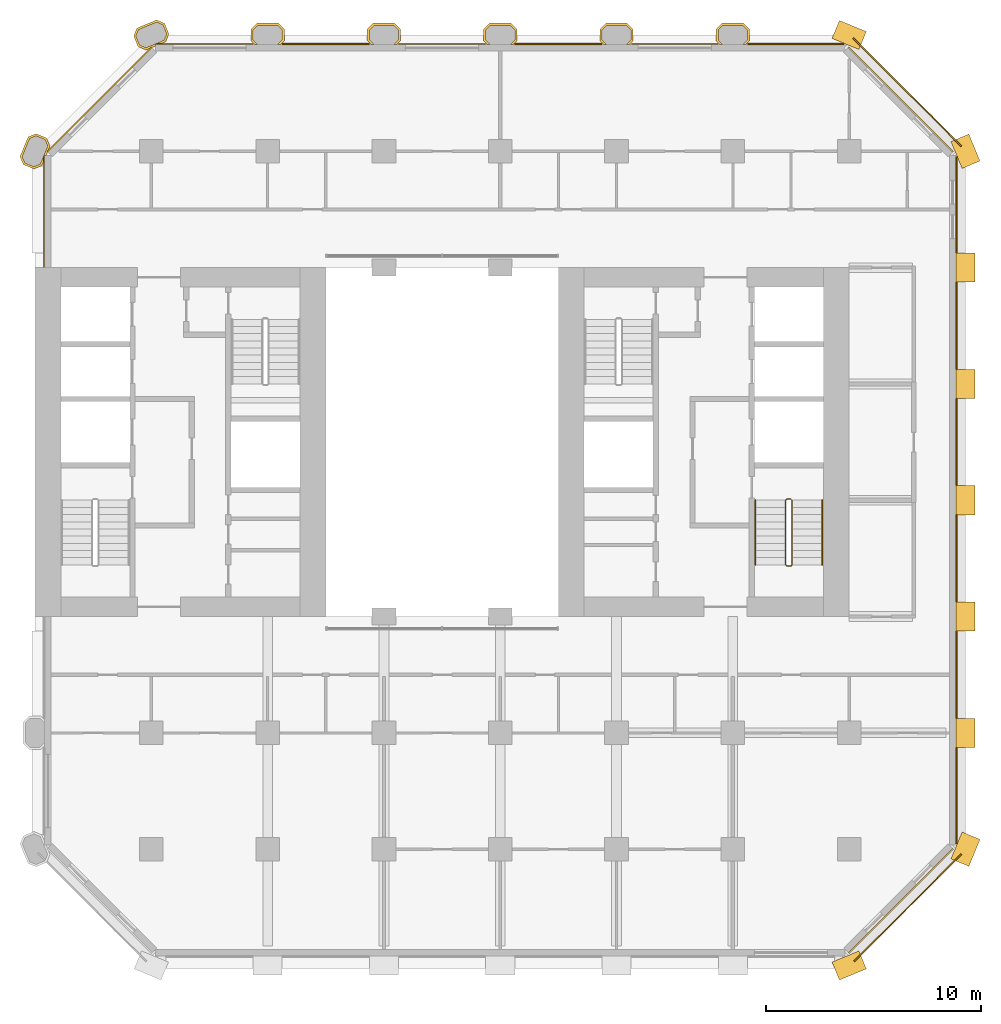
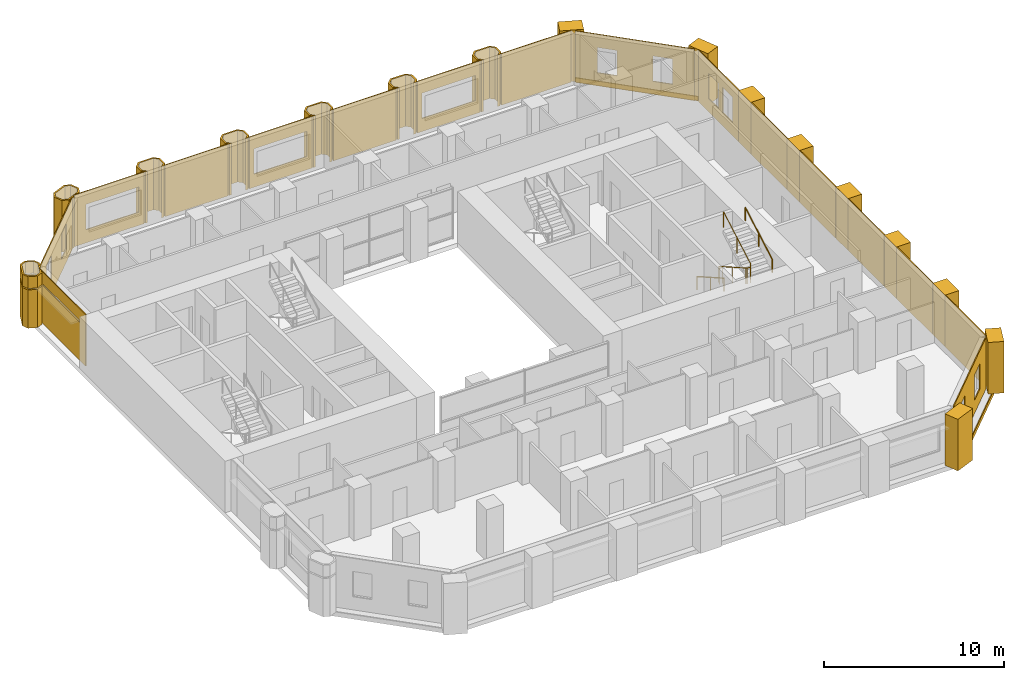
# One storey, part 13 of 13: 35 coverings, 3 railings.
"""IFC4 building model written with IfcOpenShell, lengths in metres."""

from ifc_helpers import new_model, si_unit, direction, frame, frame_2d, origin, origin_2d, place, context, subcontext, project, spatial, polyline, rectangle, circle, outline, extrude, material, layer, layer_set, type_object, element, save


model = new_model("IFC4")

# Units and contexts
model_context = context("Model", 3, precision=1e-05, world=origin(), true_north=direction((0.0, 1.0)))
body_context = subcontext(model_context, "Body", "Model", "MODEL_VIEW")
ifc_project = project(units=[si_unit("LENGTHUNIT", "METRE"), si_unit("AREAUNIT", "SQUARE_METRE"), si_unit("VOLUMEUNIT", "CUBIC_METRE"), si_unit("PLANEANGLEUNIT", "RADIAN"), si_unit("MASSUNIT", "GRAM", prefix="KILO")], contexts=[model_context])

# Site, building, storey
site_placement = place(None, origin())
site = spatial("IfcSite", under=ifc_project, at=site_placement, CompositionType="ELEMENT")
building_placement = place(site_placement, origin())
building = spatial("IfcBuilding", under=site, at=building_placement, Name="Tabaq Tower and Sports Hall", CompositionType="ELEMENT")
storey_placement = place(building_placement, frame((0.0, 0.0, 37.39990234375)))
storey = spatial("IfcBuildingStorey", under=building, at=storey_placement, Name="L07", CompositionType="ELEMENT", Elevation=37.39990234375)

# Coverings
ifc_material_1 = material(Name="Precast concrete C60/75", Category="concrete")
ifc_layer_1 = layer(ifc_material_1, 0.10009765625)
ifc_layer_set_1 = layer_set([ifc_layer_1], Name="Column cladding 100")
covering_type_1 = type_object("IfcCoveringType", Name="Column cladding 100", PredefinedType="CLADDING", material=ifc_layer_set_1)
covering_1_placement = place(storey_placement, origin())
element("IfcCovering", 1, at=covering_1_placement, inside=storey, type_object=covering_type_1, Name="Column cladding L07 PC-2H-O1", PredefinedType="CLADDING", context=body_context, shape_type="SweptSolid", body=[
    extrude(outline(polyline([(4.857421875, 37.186279296875), (4.7041015625, 37.556396484375), (5.080078125, 38.46435546875), (5.450439453125, 38.61767578125), (5.9423828125, 38.413818359375), (6.095947265625, 38.04345703125), (6.026123046875, 37.875), (5.9501953125, 37.799072265625), (5.9814453125, 37.767578125), (5.91796875, 37.614013671875), (5.849609375, 37.614013671875), (5.849609375, 37.55712890625), (5.789794921875, 37.55712890625), (5.789794921875, 37.304443359375), (5.7197265625, 37.1357421875), (5.349609375, 36.982421875), (4.857421875, 37.186279296875)]), holes=[polyline([(5.866455078125, 38.337646484375), (5.450439453125, 38.510009765625), (5.15625, 38.38818359375), (4.811767578125, 37.556396484375), (4.93359375, 37.26220703125), (5.349609375, 37.08984375), (5.643798828125, 37.2119140625), (5.98828125, 38.04345703125), (5.866455078125, 38.337646484375)])]), origin(), (0.0, 0.0, 1.0), 2.60009765625),
])
covering_2_placement = place(storey_placement, frame((0.0, 0.0, 2.7001953125)))
element("IfcCovering", 2, at=covering_2_placement, inside=storey, type_object=covering_type_1, Name="Column cladding L07 PC-2H-O1 2", PredefinedType="CLADDING", context=body_context, shape_type="SweptSolid", body=[
    extrude(outline(polyline([(4.857421875, 37.186279296875), (4.7041015625, 37.556396484375), (5.080078125, 38.46435546875), (5.450439453125, 38.61767578125), (5.9423828125, 38.413818359375), (6.095947265625, 38.04345703125), (6.026123046875, 37.875), (5.9501953125, 37.799072265625), (5.9814453125, 37.767578125), (5.91796875, 37.614013671875), (5.849609375, 37.614013671875), (5.849609375, 37.55712890625), (5.789794921875, 37.55712890625), (5.789794921875, 37.304443359375), (5.7197265625, 37.1357421875), (5.349609375, 36.982421875), (4.857421875, 37.186279296875)]), holes=[polyline([(5.866455078125, 38.337646484375), (5.450439453125, 38.510009765625), (5.15625, 38.38818359375), (4.811767578125, 37.556396484375), (4.93359375, 37.26220703125), (5.349609375, 37.08984375), (5.643798828125, 37.2119140625), (5.98828125, 38.04345703125), (5.866455078125, 38.337646484375)])]), origin(), (0.0, 0.0, 1.0), 0.7998046875),
])
covering_3_placement = place(storey_placement, origin())
element("IfcCovering", 3, at=covering_3_placement, inside=storey, type_object=covering_type_1, Name="Column cladding L07 PC-3I-O1", PredefinedType="CLADDING", context=body_context, shape_type="SweptSolid", body=[
    extrude(outline(polyline([(9.982421875, 43.149658203125), (10.1357421875, 43.519775390625), (11.04345703125, 43.895751953125), (11.413818359375, 43.742431640625), (11.61767578125, 43.25048828125), (11.46435546875, 42.880126953125), (11.295654296875, 42.810302734375), (11.04296875, 42.810302734375), (11.04296875, 42.750244140625), (10.986083984375, 42.750244140625), (10.986083984375, 42.68212890625), (10.83251953125, 42.618408203125), (10.801025390625, 42.64990234375), (10.72509765625, 42.573974609375), (10.556396484375, 42.504150390625), (10.186279296875, 42.657470703125), (9.982421875, 43.149658203125)]), holes=[polyline([(11.510009765625, 43.25048828125), (11.337646484375, 43.66650390625), (11.04345703125, 43.788330078125), (10.2119140625, 43.44384765625), (10.08984375, 43.149658203125), (10.26220703125, 42.733642578125), (10.556396484375, 42.61181640625), (11.38818359375, 42.956298828125), (11.510009765625, 43.25048828125)])]), origin(), (0.0, 0.0, 1.0), 3.5),
])
covering_4_placement = place(storey_placement, origin())
element("IfcCovering", 4, at=covering_4_placement, inside=storey, type_object=covering_type_1, Name="Column cladding L07 PC-4I-O1", PredefinedType="CLADDING", context=body_context, shape_type="SweptSolid", body=[
    extrude(outline(polyline([(15.42529296875, 43.46630859375), (15.708740234375, 43.749755859375), (16.69140625, 43.749755859375), (16.974609375, 43.46630859375), (16.974609375, 42.93359375), (16.791259765625, 42.750244140625), (16.650634765625, 42.750244140625), (16.875244140625, 42.974853515625), (16.875244140625, 43.425048828125), (16.650146484375, 43.650390625), (15.749755859375, 43.650390625), (15.524658203125, 43.425048828125), (15.524658203125, 42.974853515625), (15.749267578125, 42.750244140625), (15.608642578125, 42.750244140625), (15.42529296875, 42.93359375), (15.42529296875, 43.46630859375)])), origin(), (0.0, 0.0, 1.0), 3.5),
])
covering_5_placement = place(storey_placement, origin())
element("IfcCovering", 5, at=covering_5_placement, inside=storey, type_object=covering_type_1, Name="Column cladding L07 PC-5I-O1", PredefinedType="CLADDING", context=body_context, shape_type="SweptSolid", body=[
    extrude(outline(polyline([(20.8251953125, 43.46630859375), (21.108642578125, 43.749755859375), (22.09130859375, 43.749755859375), (22.374755859375, 43.46630859375), (22.374755859375, 42.93359375), (22.19140625, 42.750244140625), (22.05078125, 42.750244140625), (22.275390625, 42.974853515625), (22.275390625, 43.425048828125), (22.050048828125, 43.650390625), (21.14990234375, 43.650390625), (20.9248046875, 43.425048828125), (20.9248046875, 42.974853515625), (21.149169921875, 42.750244140625), (21.0087890625, 42.750244140625), (20.8251953125, 42.93359375), (20.8251953125, 43.46630859375)])), origin(), (0.0, 0.0, 1.0), 3.5),
])
covering_6_placement = place(storey_placement, origin())
element("IfcCovering", 6, at=covering_6_placement, inside=storey, type_object=covering_type_1, Name="Column cladding L07 PC-6I-O1", PredefinedType="CLADDING", context=body_context, shape_type="SweptSolid", body=[
    extrude(outline(polyline([(26.225341796875, 43.46630859375), (26.5087890625, 43.749755859375), (27.4912109375, 43.749755859375), (27.774658203125, 43.46630859375), (27.774658203125, 42.93359375), (27.59130859375, 42.750244140625), (27.45068359375, 42.750244140625), (27.67529296875, 42.974853515625), (27.67529296875, 43.425048828125), (27.4501953125, 43.650390625), (26.5498046875, 43.650390625), (26.32470703125, 43.425048828125), (26.32470703125, 42.974853515625), (26.54931640625, 42.750244140625), (26.40869140625, 42.750244140625), (26.225341796875, 42.93359375), (26.225341796875, 43.46630859375)])), origin(), (0.0, 0.0, 1.0), 3.5),
])
covering_7_placement = place(storey_placement, origin())
element("IfcCovering", 7, at=covering_7_placement, inside=storey, type_object=covering_type_1, Name="Column cladding L07 PC-7I-O1", PredefinedType="CLADDING", context=body_context, shape_type="SweptSolid", body=[
    extrude(outline(polyline([(31.625244140625, 43.46630859375), (31.90869140625, 43.749755859375), (32.891357421875, 43.749755859375), (33.1748046875, 43.46630859375), (33.1748046875, 42.93359375), (32.9912109375, 42.750244140625), (32.850830078125, 42.750244140625), (33.0751953125, 42.974853515625), (33.0751953125, 43.425048828125), (32.85009765625, 43.650390625), (31.949951171875, 43.650390625), (31.724609375, 43.425048828125), (31.724609375, 42.974853515625), (31.94921875, 42.750244140625), (31.80859375, 42.750244140625), (31.625244140625, 42.93359375), (31.625244140625, 43.46630859375)])), origin(), (0.0, 0.0, 1.0), 3.5),
])
covering_8_placement = place(storey_placement, origin())
element("IfcCovering", 8, at=covering_8_placement, inside=storey, type_object=covering_type_1, Name="Column cladding L07 PC-8I-O1", PredefinedType="CLADDING", context=body_context, shape_type="SweptSolid", body=[
    extrude(outline(polyline([(37.025390625, 43.46630859375), (37.30859375, 43.749755859375), (38.291259765625, 43.749755859375), (38.57470703125, 43.46630859375), (38.57470703125, 42.93359375), (38.391357421875, 42.750244140625), (38.250732421875, 42.750244140625), (38.475341796875, 42.974853515625), (38.475341796875, 43.425048828125), (38.250244140625, 43.650390625), (37.349853515625, 43.650390625), (37.124755859375, 43.425048828125), (37.124755859375, 42.974853515625), (37.349365234375, 42.750244140625), (37.208740234375, 42.750244140625), (37.025390625, 42.93359375), (37.025390625, 43.46630859375)])), origin(), (0.0, 0.0, 1.0), 3.5),
])
ifc_material_2 = material(Name="Precast concrete C60/75", Category="concrete")
ifc_layer_2 = layer(ifc_material_2, 0.06005859375)
ifc_layer_set_2 = layer_set([ifc_layer_2], Name="Edge beam cladding 60")
covering_type_2 = type_object("IfcCoveringType", Name="Edge beam cladding 60", PredefinedType="CLADDING", material=ifc_layer_set_2)
covering_9_placement = place(storey_placement, frame((43.432373046875, 0.18994140625, -0.2998046875), z_axis=(0.0, 0.0, 1.0), x_axis=(0.707106781187, 0.707106781187, 0.0)))
element("IfcCovering", 9, at=covering_9_placement, inside=storey, type_object=covering_type_2, Name="Edge beam cladding L07 2", PredefinedType="CLADDING", context=body_context, shape_type="SweptSolid", body=[
    extrude(rectangle(XDim=7.03955078125, YDim=0.06005859375, at=frame_2d((3.519775390625, 0.0))), origin(), (0.0, 0.0, 1.0), 0.2998046875),
])
covering_10_placement = place(storey_placement, frame((48.41015625, 38.0322265625, -0.2998046875), z_axis=(0.0, 0.0, 1.0), x_axis=(-0.707106781187, 0.707106781187, 0.0)))
element("IfcCovering", 10, at=covering_10_placement, inside=storey, type_object=covering_type_2, Name="Edge beam cladding L07 4", PredefinedType="CLADDING", context=body_context, shape_type="SweptSolid", body=[
    extrude(rectangle(XDim=7.08837890625, YDim=0.06005859375, at=frame_2d((3.544189453125, 0.0))), origin(), (0.0, 0.0, 1.0), 0.2998046875),
])
ifc_material_3 = material(Name="White precast concrete C60/75", Category="concrete")
covering_type_3 = type_object("IfcCoveringType", Name="Pier cladding hung 1350x900", PredefinedType="CLADDING", material=ifc_material_3)
for number, where, z_axis, x_axis, name in (
    (11, (42.576416015625, -0.25830078125, 0.0), (0.0, 0.0, 1.0), (0.923893411637, 0.382649923473, 0.0), "Hung pier cladding 8/0"),
    (12, (43.82373046875, 42.941650390625, 0.0), (0.0, 0.0, 1.0), (-0.923893411637, 0.382649923473, 0.0), "Hung pier cladding 8/8"),
    (13, (48.341796875, 4.7763671875, 0.0), (0.0, 0.0, 1.0), (0.382649923473, 0.923893411637, 0.0), "Hung pier cladding 9/1"),
    (14, (48.60009765625, 10.125, 0.0), (0.0, 0.0, 1.0), (0.0, 1.0, 0.0), "Hung pier cladding 9/2"),
    (15, (48.60009765625, 15.52490234375, 0.0), (0.0, 0.0, 1.0), (0.0, 1.0, 0.0), "Hung pier cladding 9/3"),
):
    element("IfcCovering", number, at=place(storey_placement, frame(where, z_axis=z_axis, x_axis=x_axis)), inside=storey, type_object=covering_type_3, Name=name, PredefinedType="CLADDING", context=body_context, shape_type="SweptSolid", body=[
        extrude(rectangle(XDim=1.35009765625, YDim=0.89990234375, at=frame_2d((0.675048828125, 0.0))), origin(), (0.0, 0.0, 1.0), 3.5),
    ])
covering_11_placement = place(storey_placement, frame((48.60009765625, 20.925048828125, 0.0), z_axis=(0.0, 0.0, 1.0), x_axis=(0.0, 1.0, 0.0)))
element("IfcCovering", 16, at=covering_11_placement, inside=storey, type_object=covering_type_3, Name="Hung pier cladding 9/4", PredefinedType="CLADDING", context=body_context, shape_type="SweptSolid", body=[
    extrude(rectangle(XDim=1.349853515625, YDim=0.89990234375, at=frame_2d((0.6748046875, 0.0))), origin(), (0.0, 0.0, 1.0), 3.5),
])
covering_12_placement = place(storey_placement, frame((48.60009765625, 26.324951171875, 0.0), z_axis=(0.0, 0.0, 1.0), x_axis=(0.0, 1.0, 0.0)))
element("IfcCovering", 17, at=covering_12_placement, inside=storey, type_object=covering_type_3, Name="Hung pier cladding 9/5", PredefinedType="CLADDING", context=body_context, shape_type="SweptSolid", body=[
    extrude(rectangle(XDim=1.35009765625, YDim=0.89990234375, at=frame_2d((0.675048828125, 0.0))), origin(), (0.0, 0.0, 1.0), 3.5),
])
covering_13_placement = place(storey_placement, frame((48.60009765625, 31.72509765625, 0.0), z_axis=(0.0, 0.0, 1.0), x_axis=(0.0, 1.0, 0.0)))
element("IfcCovering", 18, at=covering_13_placement, inside=storey, type_object=covering_type_3, Name="Hung pier cladding 9/6", PredefinedType="CLADDING", context=body_context, shape_type="SweptSolid", body=[
    extrude(rectangle(XDim=1.349853515625, YDim=0.89990234375, at=frame_2d((0.6748046875, 0.0))), origin(), (0.0, 0.0, 1.0), 3.5),
])
covering_14_placement = place(storey_placement, frame((48.8583984375, 37.17626953125, 0.0), z_axis=(0.0, 0.0, 1.0), x_axis=(-0.382649923473, 0.923893411637, 0.0)))
element("IfcCovering", 19, at=covering_14_placement, inside=storey, type_object=covering_type_3, Name="Hung pier cladding 9/7", PredefinedType="CLADDING", context=body_context, shape_type="SweptSolid", body=[
    extrude(rectangle(XDim=1.35009765625, YDim=0.89990234375, at=frame_2d((0.675048828125, 0.0))), origin(), (0.0, 0.0, 1.0), 3.5),
])

# Railings
ifc_material_4 = material(Name="Stainless steel", Category="steel")
railing_type_1 = type_object("IfcRailingType", Name="Stair guard", PredefinedType="GUARDRAIL", material=ifc_material_4)
railing_1_placement = place(storey_placement, frame((40.5, 21.64990234375, 0.0)))
element("IfcRailing", 20, at=railing_1_placement, inside=storey, type_object=railing_type_1, Name="L07 ST3 stair guard 1", PredefinedType="GUARDRAIL", context=body_context, shape_type="SweptSolid", body=[
    extrude(circle(Radius=0.02392578125, at=origin_2d()), frame((0.0, 0.0, 1.076171875), z_axis=(-1.0, 0.0, 0.0), x_axis=(0.0, -1.0, 0.0)), (0.0, 0.0, 1.0), 0.199951171875),
    extrude(circle(Radius=0.02392578125, at=origin_2d()), frame((-0.199951171875, 0.0, 1.076171875), z_axis=(-0.246704845944, -0.245501407671, 0.937478414588), x_axis=(0.705375805398, -0.708833529934, 0.0)), (0.0, 0.0, 1.0), 0.202880859375),
    extrude(circle(Radius=0.02392578125, at=origin_2d()), frame((-0.25, -0.0498046875, 1.26611328125), z_axis=(0.0, -0.868782136927, 0.495194505781), x_axis=(1.0, 0.0, 0.0)), (0.0, 0.0, 1.0), 3.453125),
    extrude(circle(Radius=0.02392578125, at=origin_2d()), frame((-0.25, -3.0498046875, 2.97607421875), z_axis=(0.707106781187, -0.707106781187, 0.0), x_axis=(0.707106781187, 0.707106781187, 0.0)), (0.0, 0.0, 1.0), 0.07080078125),
    extrude(circle(Radius=0.02392578125, at=origin_2d()), frame((-0.199951171875, -3.099853515625, 2.97607421875), z_axis=(1.0, 0.0, 0.0), x_axis=(0.0, 1.0, 0.0)), (0.0, 0.0, 1.0), 0.199951171875),
    extrude(circle(Radius=0.02392578125, at=origin_2d()), frame((0.0, -3.099853515625, 2.97607421875), z_axis=(0.246910188598, 0.246910188598, 0.937054276727), x_axis=(-0.707106781187, 0.707106781187, 0.0)), (0.0, 0.0, 1.0), 0.20263671875),
    extrude(circle(Radius=0.02392578125, at=origin_2d()), frame((0.050048828125, -3.0498046875, 3.166015625), z_axis=(0.0, 0.868782136927, 0.495194505781), x_axis=(-1.0, 0.0, 0.0)), (0.0, 0.0, 1.0), 3.453125),
    extrude(circle(Radius=0.02099609375, at=origin_2d()), origin(), (0.0, 0.0, 1.0), 1.052001953125),
    extrude(circle(Radius=0.02099609375, at=origin_2d()), frame((-0.199951171875, 0.0, 0.0)), (0.0, 0.0, 1.0), 1.052001953125),
    extrude(circle(Radius=0.02099609375, at=origin_2d()), frame((-0.25, -0.0498046875, 0.190185546875)), (0.0, 0.0, 1.0), 1.052001953125),
    extrude(circle(Radius=0.02099609375, at=origin_2d()), frame((-0.25, -1.5498046875, 1.045166015625)), (0.0, 0.0, 1.0), 1.052001953125),
    extrude(circle(Radius=0.02099609375, at=origin_2d()), frame((-0.25, -3.0498046875, 1.900146484375)), (0.0, 0.0, 1.0), 1.052001953125),
    extrude(circle(Radius=0.02099609375, at=origin_2d()), frame((-0.199951171875, -3.099853515625, 1.900146484375)), (0.0, 0.0, 1.0), 1.052001953125),
    extrude(circle(Radius=0.02099609375, at=origin_2d()), frame((0.0, -3.099853515625, 1.900146484375)), (0.0, 0.0, 1.0), 1.052001953125),
    extrude(circle(Radius=0.02099609375, at=origin_2d()), frame((0.050048828125, -3.0498046875, 2.090087890625)), (0.0, 0.0, 1.0), 1.052001953125),
    extrude(circle(Radius=0.02099609375, at=origin_2d()), frame((0.050048828125, -1.5498046875, 2.945068359375)), (0.0, 0.0, 1.0), 1.052001953125),
    extrude(circle(Radius=0.02099609375, at=origin_2d()), frame((0.050048828125, -0.0498046875, 3.800048828125)), (0.0, 0.0, 1.0), 1.052001953125),
])
ifc_material_5 = material(Name="Stainless steel", Category="steel")
railing_type_2 = type_object("IfcRailingType", Name="Stair handrail", PredefinedType="HANDRAIL", material=ifc_material_5)
railing_2_placement = place(storey_placement, frame((38.85009765625, 21.60009765625, 0.190185546875)))
element("IfcRailing", 21, at=railing_2_placement, inside=storey, type_object=railing_type_2, Name="L07 ST3 stair handrail 1", PredefinedType="HANDRAIL", context=body_context, shape_type="SweptSolid", body=[
    extrude(circle(Radius=0.02392578125, at=origin_2d()), frame((0.0, 0.0, 0.8759765625), z_axis=(0.0, -0.868782136927, 0.495194505781), x_axis=(1.0, 0.0, 0.0)), (0.0, 0.0, 1.0), 3.453125),
    extrude(circle(Radius=0.02099609375, at=origin_2d()), origin(), (0.0, 0.0, 1.0), 0.851806640625),
    extrude(circle(Radius=0.02099609375, at=origin_2d()), frame((0.0, -1.5, 0.85498046875)), (0.0, 0.0, 1.0), 0.851806640625),
    extrude(circle(Radius=0.02099609375, at=origin_2d()), frame((0.0, -3.0, 1.7099609375)), (0.0, 0.0, 1.0), 0.851806640625),
])
railing_3_placement = place(storey_placement, frame((41.949951171875, 18.60009765625, 2.090087890625)))
element("IfcRailing", 22, at=railing_3_placement, inside=storey, type_object=railing_type_2, Name="L07 ST3 stair handrail 2", PredefinedType="HANDRAIL", context=body_context, shape_type="SweptSolid", body=[
    extrude(circle(Radius=0.02392578125, at=origin_2d()), frame((0.0, 0.0, 0.8759765625), z_axis=(0.0, 0.868782136927, 0.495194505781), x_axis=(-1.0, 0.0, 0.0)), (0.0, 0.0, 1.0), 3.453125),
    extrude(circle(Radius=0.02099609375, at=origin_2d()), origin(), (0.0, 0.0, 1.0), 0.851806640625),
    extrude(circle(Radius=0.02099609375, at=origin_2d()), frame((0.0, 1.5, 0.85498046875)), (0.0, 0.0, 1.0), 0.851806640625),
    extrude(circle(Radius=0.02099609375, at=origin_2d()), frame((0.0, 3.0, 1.7099609375)), (0.0, 0.0, 1.0), 0.851806640625),
])

# Coverings
ifc_material_6 = material(Name="Precast concrete C60/75", Category="concrete")
ifc_layer_3 = layer(ifc_material_6, 0.06005859375)
ifc_layer_set_3 = layer_set([ifc_layer_3], Name="White precast cladding panel 60 C60/75")
covering_type_4 = type_object("IfcCoveringType", Name="White precast cladding panel 60 C60/75", PredefinedType="CLADDING", material=ifc_layer_set_3)
covering_15_placement = place(storey_placement, frame((43.177734375, 0.57177734375, 0.0), z_axis=(0.0, 0.0, 1.0), x_axis=(0.707106781187, 0.707106781187, 0.0)))
element("IfcCovering", 23, at=covering_15_placement, inside=storey, type_object=covering_type_4, Name="White precast cladding panel L07 wall01", PredefinedType="CLADDING", context=body_context, shape_type="SweptSolid", body=[
    extrude(outline(polyline([(0.0, 0.0), (6.85986328125, 0.0), (6.85986328125, 3.5), (0.0, 3.5), (0.0, 0.0)]), holes=[polyline([(1.269775390625, 2.610107421875), (2.389892578125, 2.610107421875), (2.389892578125, 0.89013671875), (1.269775390625, 0.89013671875), (1.269775390625, 2.610107421875)]), polyline([(4.4697265625, 2.610107421875), (5.58984375, 2.610107421875), (5.58984375, 0.89013671875), (4.4697265625, 0.89013671875), (4.4697265625, 2.610107421875)])]), frame((0.0, 0.030029296875, 0.0), z_axis=(0.0, -1.0, 0.0), x_axis=(1.0, 0.0, 0.0)), (0.0, 0.0, 1.0), 0.06005859375),
])
covering_16_placement = place(storey_placement, frame((48.179931640625, 5.64306640625, 0.0), z_axis=(0.0, 0.0, 1.0), x_axis=(0.0, 1.0, 0.0)))
element("IfcCovering", 24, at=covering_16_placement, inside=storey, type_object=covering_type_4, Name="White precast cladding panel L07 wall02", PredefinedType="CLADDING", context=body_context, shape_type="SweptSolid", body=[
    extrude(rectangle(XDim=4.471923828125, YDim=0.06005859375, at=frame_2d((2.23583984375, 0.0))), origin(), (0.0, 0.0, 1.0), 3.5),
])
covering_17_placement = place(storey_placement, frame((48.179931640625, 11.485107421875, 0.0), z_axis=(0.0, 0.0, 1.0), x_axis=(0.0, 1.0, 0.0)))
element("IfcCovering", 25, at=covering_17_placement, inside=storey, type_object=covering_type_4, Name="White precast cladding panel L07 wall02 2", PredefinedType="CLADDING", context=body_context, shape_type="SweptSolid", body=[
    extrude(rectangle(XDim=4.02978515625, YDim=0.06005859375, at=frame_2d((2.014892578125, 0.0))), origin(), (0.0, 0.0, 1.0), 3.5),
])
for number, where, z_axis, x_axis, name in (
    (26, (48.179931640625, 16.885009765625, 0.0), (0.0, 0.0, 1.0), (0.0, 1.0, 0.0), "White precast cladding panel L07 wall02 3"),
    (27, (48.179931640625, 22.284912109375, 0.0), (0.0, 0.0, 1.0), (0.0, 1.0, 0.0), "White precast cladding panel L07 wall02 4"),
    (28, (48.179931640625, 27.68505859375, 0.0), (0.0, 0.0, 1.0), (0.0, 1.0, 0.0), "White precast cladding panel L07 wall02 5"),
):
    element("IfcCovering", number, at=place(storey_placement, frame(where, z_axis=z_axis, x_axis=x_axis)), inside=storey, type_object=covering_type_4, Name=name, PredefinedType="CLADDING", context=body_context, shape_type="SweptSolid", body=[
        extrude(rectangle(XDim=4.030029296875, YDim=0.06005859375, at=frame_2d((2.01513671875, 0.0))), origin(), (0.0, 0.0, 1.0), 3.5),
    ])
covering_18_placement = place(storey_placement, frame((48.179931640625, 33.0849609375, 0.0), z_axis=(0.0, 0.0, 1.0), x_axis=(0.0, 1.0, 0.0)))
element("IfcCovering", 29, at=covering_18_placement, inside=storey, type_object=covering_type_4, Name="White precast cladding panel L07 wall02 6", PredefinedType="CLADDING", context=body_context, shape_type="SweptSolid", body=[
    extrude(outline(polyline([(0.0, 0.0), (4.471923828125, 0.0), (4.471923828125, 3.5), (0.0, 3.5), (0.0, 0.0)]), holes=[polyline([(0.655029296875, 2.610107421875), (1.77490234375, 2.610107421875), (1.77490234375, 0.89013671875), (0.655029296875, 0.89013671875), (0.655029296875, 2.610107421875)]), polyline([(2.2548828125, 2.610107421875), (3.375, 2.610107421875), (3.375, 0.89013671875), (2.2548828125, 0.89013671875), (2.2548828125, 2.610107421875)])]), frame((0.0, 0.030029296875, 0.0), z_axis=(0.0, -1.0, 0.0), x_axis=(1.0, 0.0, 0.0)), (0.0, 0.0, 1.0), 0.06005859375),
])
covering_19_placement = place(storey_placement, frame((48.0283203125, 37.77783203125, 0.0), z_axis=(0.0, 0.0, 1.0), x_axis=(-0.707124576528, 0.707088985397, 0.0)))
element("IfcCovering", 30, at=covering_19_placement, inside=storey, type_object=covering_type_4, Name="White precast cladding panel L07 wall03", PredefinedType="CLADDING", context=body_context, shape_type="SweptSolid", body=[
    extrude(outline(polyline([(0.0, 0.0), (6.859619140625, 0.0), (6.859619140625, 3.5), (0.0, 3.5), (0.0, 0.0)]), holes=[polyline([(1.269775390625, 2.610107421875), (2.389892578125, 2.610107421875), (2.389892578125, 0.89013671875), (1.269775390625, 0.89013671875), (1.269775390625, 2.610107421875)]), polyline([(4.4697265625, 2.610107421875), (5.58984375, 2.610107421875), (5.58984375, 0.89013671875), (4.4697265625, 0.89013671875), (4.4697265625, 2.610107421875)])]), frame((0.0, 0.030029296875, 0.0), z_axis=(0.0, -1.0, 0.0), x_axis=(1.0, 0.0, 0.0)), (0.0, 0.0, 1.0), 0.06005859375),
])
covering_20_placement = place(storey_placement, frame((42.956787109375, 42.780029296875, 0.0), z_axis=(0.0, 0.0, 1.0), x_axis=(-1.0, 0.0, 0.0)))
element("IfcCovering", 31, at=covering_20_placement, inside=storey, type_object=covering_type_4, Name="White precast cladding panel L07 wall04", PredefinedType="CLADDING", context=body_context, shape_type="SweptSolid", body=[
    extrude(rectangle(XDim=4.4716796875, YDim=0.06005859375, at=frame_2d((2.23583984375, 0.0))), origin(), (0.0, 0.0, 1.0), 3.5),
])
covering_21_placement = place(storey_placement, frame((37.114990234375, 42.780029296875, 0.0), z_axis=(0.0, 0.0, 1.0), x_axis=(-1.0, 0.0, 0.0)))
element("IfcCovering", 32, at=covering_21_placement, inside=storey, type_object=covering_type_4, Name="White precast cladding panel L07 wall04 2", PredefinedType="CLADDING", context=body_context, shape_type="SweptSolid", body=[
    extrude(outline(polyline([(0.0, 0.0), (4.030029296875, 0.0), (4.030029296875, 3.5), (0.0, 3.5), (0.0, 0.0)]), holes=[polyline([(0.304931640625, 0.89013671875), (0.304931640625, 2.610107421875), (3.72509765625, 2.610107421875), (3.72509765625, 0.89013671875), (0.304931640625, 0.89013671875)])]), frame((0.0, 0.030029296875, 0.0), z_axis=(0.0, -1.0, 0.0), x_axis=(1.0, 0.0, 0.0)), (0.0, 0.0, 1.0), 0.06005859375),
])
covering_22_placement = place(storey_placement, frame((31.715087890625, 42.780029296875, 0.0), z_axis=(0.0, 0.0, 1.0), x_axis=(-1.0, 0.0, 0.0)))
element("IfcCovering", 33, at=covering_22_placement, inside=storey, type_object=covering_type_4, Name="White precast cladding panel L07 wall04 3", PredefinedType="CLADDING", context=body_context, shape_type="SweptSolid", body=[
    extrude(rectangle(XDim=4.030029296875, YDim=0.06005859375, at=frame_2d((2.01513671875, 0.0))), origin(), (0.0, 0.0, 1.0), 3.5),
])
covering_23_placement = place(storey_placement, frame((26.31494140625, 42.780029296875, 0.0), z_axis=(0.0, 0.0, 1.0), x_axis=(-1.0, 0.0, 0.0)))
element("IfcCovering", 34, at=covering_23_placement, inside=storey, type_object=covering_type_4, Name="White precast cladding panel L07 wall04 4", PredefinedType="CLADDING", context=body_context, shape_type="SweptSolid", body=[
    extrude(outline(polyline([(0.0, 0.0), (4.030029296875, 0.0), (4.030029296875, 3.5), (0.0, 3.5), (0.0, 0.0)]), holes=[polyline([(0.304931640625, 0.89013671875), (0.304931640625, 2.610107421875), (3.72509765625, 2.610107421875), (3.72509765625, 0.89013671875), (0.304931640625, 0.89013671875)])]), frame((0.0, 0.030029296875, 0.0), z_axis=(0.0, -1.0, 0.0), x_axis=(1.0, 0.0, 0.0)), (0.0, 0.0, 1.0), 0.06005859375),
])
covering_24_placement = place(storey_placement, frame((20.9150390625, 42.780029296875, 0.0), z_axis=(0.0, 0.0, 1.0), x_axis=(-1.0, 0.0, 0.0)))
element("IfcCovering", 35, at=covering_24_placement, inside=storey, type_object=covering_type_4, Name="White precast cladding panel L07 wall04 5", PredefinedType="CLADDING", context=body_context, shape_type="SweptSolid", body=[
    extrude(rectangle(XDim=4.030029296875, YDim=0.06005859375, at=frame_2d((2.01513671875, 0.0))), origin(), (0.0, 0.0, 1.0), 3.5),
])
covering_25_placement = place(storey_placement, frame((15.514892578125, 42.780029296875, 0.0), z_axis=(0.0, 0.0, 1.0), x_axis=(-1.0, 0.0, 0.0)))
element("IfcCovering", 36, at=covering_25_placement, inside=storey, type_object=covering_type_4, Name="White precast cladding panel L07 wall04 6", PredefinedType="CLADDING", context=body_context, shape_type="SweptSolid", body=[
    extrude(outline(polyline([(0.0, 0.0), (4.4716796875, 0.0), (4.4716796875, 3.5), (0.0, 3.5), (0.0, 0.0)]), holes=[polyline([(0.304931640625, 0.89013671875), (0.304931640625, 2.610107421875), (3.72509765625, 2.610107421875), (3.72509765625, 0.89013671875), (0.304931640625, 0.89013671875)])]), frame((0.0, 0.030029296875, 0.0), z_axis=(0.0, -1.0, 0.0), x_axis=(1.0, 0.0, 0.0)), (0.0, 0.0, 1.0), 0.06005859375),
])
covering_26_placement = place(storey_placement, frame((10.822265625, 42.628173828125, 0.0), z_axis=(0.0, 0.0, 1.0), x_axis=(-0.707124576528, -0.707088985397, 0.0)))
element("IfcCovering", 37, at=covering_26_placement, inside=storey, type_object=covering_type_4, Name="White precast cladding panel L07 wall05", PredefinedType="CLADDING", context=body_context, shape_type="SweptSolid", body=[
    extrude(outline(polyline([(0.0, 0.0), (6.859619140625, 0.0), (6.859619140625, 3.5), (0.0, 3.5), (0.0, 0.0)]), holes=[polyline([(1.269775390625, 2.610107421875), (2.389892578125, 2.610107421875), (2.389892578125, 0.89013671875), (1.269775390625, 0.89013671875), (1.269775390625, 2.610107421875)]), polyline([(4.4697265625, 2.610107421875), (5.58984375, 2.610107421875), (5.58984375, 0.89013671875), (4.4697265625, 0.89013671875), (4.4697265625, 2.610107421875)])]), frame((0.0, 0.030029296875, 0.0), z_axis=(0.0, -1.0, 0.0), x_axis=(1.0, 0.0, 0.0)), (0.0, 0.0, 1.0), 0.06005859375),
])
covering_27_placement = place(storey_placement, frame((5.820068359375, 37.556884765625, 0.0), z_axis=(0.0, 0.0, 1.0), x_axis=(0.0, -1.0, 0.0)))
element("IfcCovering", 38, at=covering_27_placement, inside=storey, type_object=covering_type_4, Name="White precast cladding panel L07 wall06", PredefinedType="CLADDING", context=body_context, shape_type="SweptSolid", body=[
    extrude(outline(polyline([(0.0, 0.0), (5.156982421875, 0.0), (5.156982421875, 3.5), (0.0, 3.5), (0.0, 0.0)]), holes=[polyline([(0.421875, 2.590087890625), (0.421875, 2.710205078125), (4.491943359375, 2.710205078125), (4.491943359375, 2.590087890625), (0.421875, 2.590087890625)])]), frame((0.0, 0.030029296875, 0.0), z_axis=(0.0, -1.0, 0.0), x_axis=(1.0, 0.0, 0.0)), (0.0, 0.0, 1.0), 0.06005859375),
])

save(model, "model.ifc")
